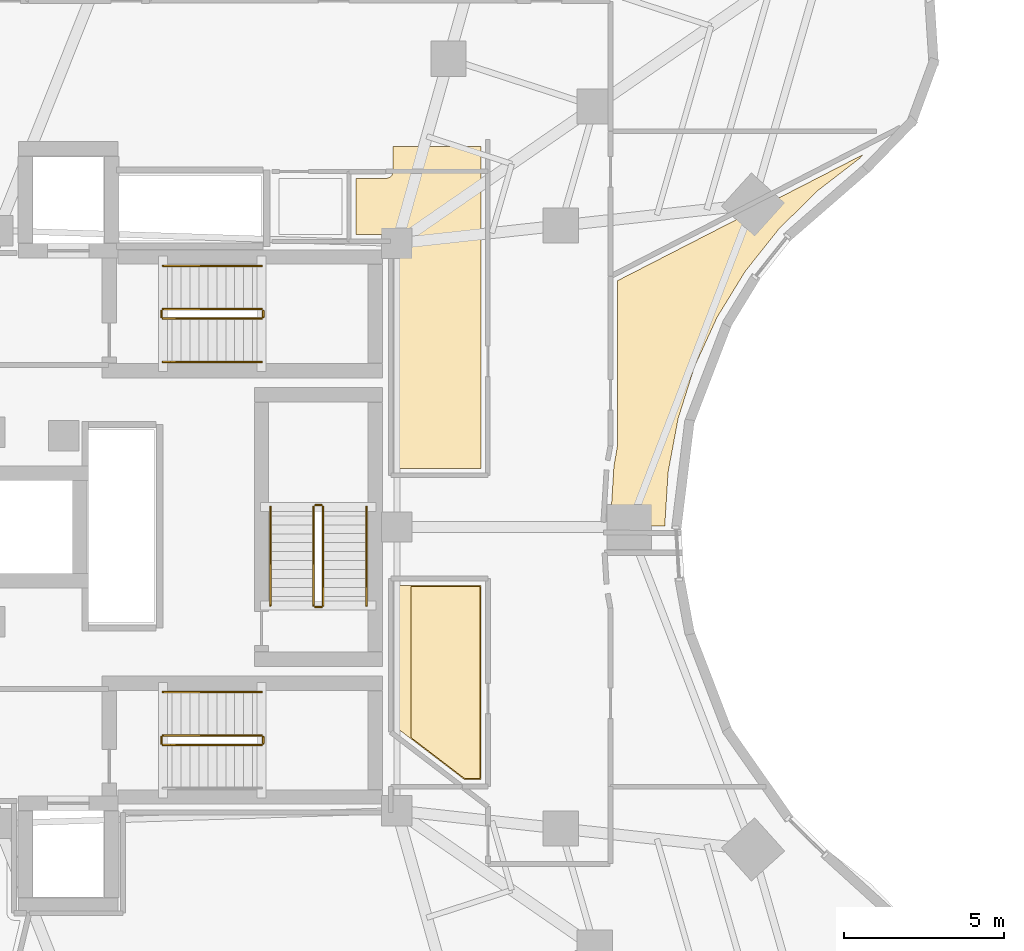
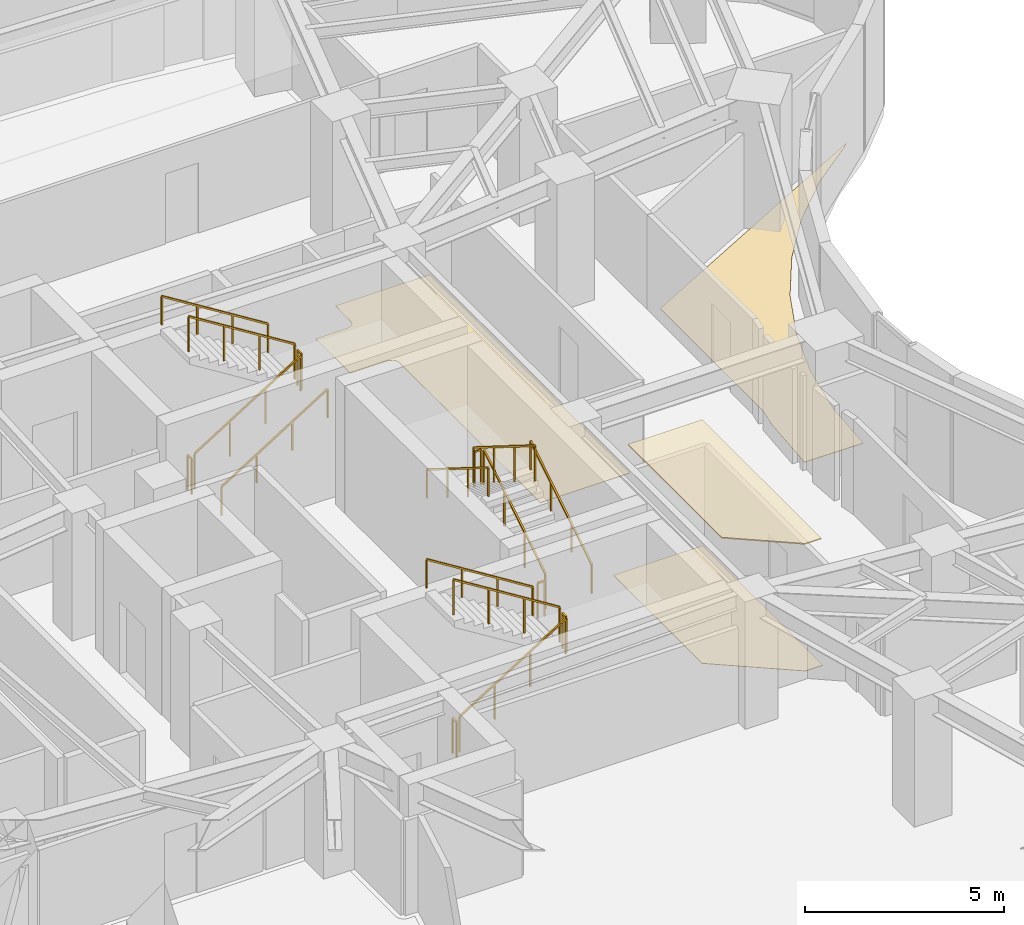
# One storey, part 16 of 17: 17 railings, 4 coverings.
"""IFC4 building model written with IfcOpenShell, lengths in metres."""

import ifcopenshell
import ifcopenshell.guid

model = None  # the IFC model being written
_history = None  # IfcOwnerHistory: only IFC2X3 demands one
_inside = {}  # id of a spatial element -> (the spatial element, [elements in it])
_under = {}  # id of a project, library or spatial element -> (it, [spatial elements below it])
_declared = {}  # id of a project -> (the project, [libraries it declares])
_typed = {}  # id of a type object -> (the type object, [elements of that type])
_made_of = {}  # id of a material, layer set ... -> (it, [elements and type objects made of it])


def new_model(schema):
    """Start an empty IFC model of exactly this schema.

    Asked for "IFC4X3", IfcOpenShell would pick the latest addendum, in which some entities
    have other attributes; the version numbers below select the first issue.
    IFC2X3 requires an IfcOwnerHistory on every rooted entity: one is made here for all.
    """
    global model, _history
    if schema == "IFC4X3":
        model = ifcopenshell.file(schema_version=(4, 3, 0, 0))
    else:
        model = ifcopenshell.file(schema=schema)
    _inside.clear()
    _under.clear()
    _declared.clear()
    _typed.clear()
    _made_of.clear()
    _history = None
    if model.schema == "IFC2X3":
        org = make("IfcOrganization", Name="unknown")
        user = make(
            "IfcPersonAndOrganization",
            ThePerson=make("IfcPerson", FamilyName="unknown"),
            TheOrganization=org,
        )
        app = make(
            "IfcApplication",
            ApplicationDeveloper=org,
            Version="unknown",
            ApplicationFullName="unknown",
            ApplicationIdentifier="unknown",
        )
        _history = make(
            "IfcOwnerHistory",
            OwningUser=user,
            OwningApplication=app,
            ChangeAction="ADDED",
            CreationDate=0,
        )
    return model


def make(cls, **values):
    """One entity of the class cls with the attributes given. An attribute that is None is left unset."""
    return model.create_entity(
        cls, **{name: value for name, value in values.items() if value is not None}
    )


def rooted(cls, **values):
    """An entity with a GlobalId (a new one), such as an element, a storey or a relation."""
    return make(cls, GlobalId=ifcopenshell.guid.new(), OwnerHistory=_history, **values)


def si_unit(unit_type, name, prefix=None):
    """IfcSIUnit, for example si_unit("LENGTHUNIT", "METRE", prefix="MILLI")."""
    return make("IfcSIUnit", UnitType=unit_type, Prefix=prefix, Name=name)


def assignment(units):
    """IfcUnitAssignment: the units of a project."""
    return None if units is None else make("IfcUnitAssignment", Units=units)


def point(xyz):
    """IfcCartesianPoint."""
    return None if xyz is None else make("IfcCartesianPoint", Coordinates=xyz)


def direction(xyz):
    """IfcDirection."""
    return None if xyz is None else make("IfcDirection", DirectionRatios=xyz)


def frame(location, z_axis=None, x_axis=None):
    """IfcAxis2Placement3D, a coordinate frame: its origin and axes. An axis left out is left unset."""
    return make(
        "IfcAxis2Placement3D",
        Location=point(location),
        Axis=direction(z_axis),
        RefDirection=direction(x_axis),
    )


def frame_2d(location, x_axis=None):
    """IfcAxis2Placement2D, a coordinate frame in the plane: its origin and x axis."""
    return make(
        "IfcAxis2Placement2D", Location=point(location), RefDirection=direction(x_axis)
    )


def origin():
    """The frame at (0, 0, 0) with its axes left unset."""
    return frame((0.0, 0.0, 0.0))


def origin_2d():
    """The frame at (0, 0) in the plane with its x axis left unset."""
    return frame_2d((0.0, 0.0))


def place(relative_to, where):
    """IfcLocalPlacement: puts the frame where relative to a parent placement (None: the world)."""
    return make(
        "IfcLocalPlacement", PlacementRelTo=relative_to, RelativePlacement=where
    )


def context(
    kind, dimensions, precision=None, world=None, true_north=None, identifier=None
):
    """IfcGeometricRepresentationContext, for example the 3D "Model" context."""
    return make(
        "IfcGeometricRepresentationContext",
        ContextIdentifier=identifier,
        ContextType=kind,
        CoordinateSpaceDimension=dimensions,
        Precision=precision,
        WorldCoordinateSystem=world,
        TrueNorth=true_north,
    )


def subcontext(parent, identifier, kind, view, scale=None):
    """IfcGeometricRepresentationSubContext, for example "Body" below "Model"."""
    return make(
        "IfcGeometricRepresentationSubContext",
        ContextIdentifier=identifier,
        ContextType=kind,
        ParentContext=parent,
        TargetScale=scale,
        TargetView=view,
    )


def project(units=None, contexts=None):
    """IfcProject with its units and contexts."""
    return rooted(
        "IfcProject",
        Name="project",
        RepresentationContexts=contexts,
        UnitsInContext=assignment(units),
    )


def spatial(cls, under=None, at=None, **own):
    """A site, building, storey or space (cls), placed at a placement, below another one or the project."""
    s = rooted(cls, ObjectPlacement=at, **own)
    if under is not None:
        _under.setdefault(under.id(), (under, []))[1].append(s)
    return s


def polyline(points):
    """IfcPolyline through the points."""
    return make("IfcPolyline", Points=[point(p) for p in points])


def profile(cls, at=None, kind="AREA", **sizes):
    """A parametric profile (cls). Its sizes go by their IFC names, for example OverallWidth=200.0."""
    return make(cls, ProfileType=kind, Position=at, **sizes)


def rectangle(**sizes):
    """IfcRectangleProfileDef."""
    return profile("IfcRectangleProfileDef", **sizes)


def outline(outer, holes=None, kind="AREA"):
    """IfcArbitraryClosedProfileDef: a profile drawn as a closed curve; with holes, ...WithVoids."""
    if holes is None:
        return make("IfcArbitraryClosedProfileDef", ProfileType=kind, OuterCurve=outer)
    return make(
        "IfcArbitraryProfileDefWithVoids",
        ProfileType=kind,
        OuterCurve=outer,
        InnerCurves=holes,
    )


def extrude(swept, where, along, depth):
    """IfcExtrudedAreaSolid: the profile swept, set in the frame where, extruded along a direction by depth."""
    return make(
        "IfcExtrudedAreaSolid",
        SweptArea=swept,
        Position=where,
        ExtrudedDirection=direction(along),
        Depth=depth,
    )


def shape(context_of_items, identifier, shape_type, items):
    """IfcShapeRepresentation: the items that make up one representation, for example the "Body"."""
    return make(
        "IfcShapeRepresentation",
        ContextOfItems=context_of_items,
        RepresentationIdentifier=identifier,
        RepresentationType=shape_type,
        Items=items,
    )


def material(Name=None, Category=None):
    """IfcMaterial."""
    return make("IfcMaterial", Name=Name, Category=Category)


def layer(
    of_material, thickness, ventilated=None, Name=None, Category=None, Priority=None
):
    """IfcMaterialLayer: one layer of a wall or slab, of a material (None: an air gap)."""
    return make(
        "IfcMaterialLayer",
        Material=of_material,
        LayerThickness=thickness,
        IsVentilated=ventilated,
        Name=Name,
        Category=Category,
        Priority=Priority,
    )


def layer_set(layers, Name=None):
    """IfcMaterialLayerSet."""
    return make("IfcMaterialLayerSet", MaterialLayers=layers, LayerSetName=Name)


def made_of(thing, what):
    """Note that an element or type object is made of a material, layer set ...; save() writes the relation."""
    if what is not None:
        _made_of.setdefault(what.id(), (what, []))[1].append(thing)
    return thing


def type_object(cls, material=None, **own):
    """A type object (cls), such as IfcWallType, which elements share."""
    return made_of(rooted(cls, **own), material)


def element(
    cls,
    number,
    at=None,
    inside=None,
    cuts=None,
    type_object=None,
    material=None,
    context=None,
    identifier="Body",
    shape_type=None,
    held_by="IfcProductDefinitionShape",
    body=None,
    shapes=None,
    **own,
):
    """One element of the class cls, such as IfcWall. Its Tag is "e" and its number.

    at: its placement. inside: the storey or other place that contains it. cuts: it is an
    opening in that element (IfcRelVoidsElement). A single representation is given by context,
    identifier, shape_type and body (its items); several are given by shapes. held_by: the class
    of the entity that holds the representations. save() writes the other relations.
    """
    e = rooted(cls, Tag="e%d" % number, ObjectPlacement=at, **own)
    if body is not None:
        shapes = [shape(context, identifier, shape_type, body)]
    if shapes is not None:
        e.Representation = make(held_by, Representations=shapes)
    if inside is not None:
        _inside.setdefault(inside.id(), (inside, []))[1].append(e)
    if cuts is not None:
        rooted(
            "IfcRelVoidsElement", RelatingBuildingElement=cuts, RelatedOpeningElement=e
        )
    if type_object is not None:
        _typed.setdefault(type_object.id(), (type_object, []))[1].append(e)
    return made_of(e, material)


def aggregate(whole, parts):
    """IfcRelAggregates: a whole, such as a stair, and the parts it consists of."""
    return rooted("IfcRelAggregates", RelatingObject=whole, RelatedObjects=parts)


def save(model, path):
    """Write the relations noted so far, then the file.

    IfcRelAggregates (storeys below a building ...), IfcRelContainedInSpatialStructure (elements
    in a storey), IfcRelDefinesByType, IfcRelAssociatesMaterial and IfcRelDeclares: one each for
    every whole, place, type object, material and project.
    """
    for whole, parts in _under.values():
        aggregate(whole, parts)
    for where, things in _inside.values():
        rooted(
            "IfcRelContainedInSpatialStructure",
            RelatedElements=things,
            RelatingStructure=where,
        )
    for kind, things in _typed.values():
        rooted("IfcRelDefinesByType", RelatedObjects=things, RelatingType=kind)
    for what, things in _made_of.values():
        rooted("IfcRelAssociatesMaterial", RelatedObjects=things, RelatingMaterial=what)
    for by, libraries in _declared.values():
        rooted("IfcRelDeclares", RelatingContext=by, RelatedDefinitions=libraries)
    model.write(path)


model = new_model("IFC4")

# Units and contexts
model_context = context("Model", 3, precision=1e-05, world=origin(), true_north=direction((0.0, 1.0)))
body_context = subcontext(model_context, "Body", "Model", "MODEL_VIEW")
ifc_project = project(units=[si_unit("LENGTHUNIT", "METRE"), si_unit("AREAUNIT", "SQUARE_METRE"), si_unit("VOLUMEUNIT", "CUBIC_METRE"), si_unit("PLANEANGLEUNIT", "RADIAN"), si_unit("MASSUNIT", "GRAM", prefix="KILO")], contexts=[model_context])

# Site, building, storey
site_placement = place(None, origin())
site = spatial("IfcSite", under=ifc_project, at=site_placement, CompositionType="ELEMENT")
building_placement = place(site_placement, origin())
building = spatial("IfcBuilding", under=site, at=building_placement, Name="Korentha Bioscience Tower", CompositionType="ELEMENT")
storey_placement = place(building_placement, frame((0.0, 0.0, 25.800048828125)))
storey = spatial("IfcBuildingStorey", under=building, at=storey_placement, Name="L05", CompositionType="ELEMENT", Elevation=25.800048828125)

# Railings
ifc_material_1 = material(Name="Stainless Steel 304", Category="steel")
railing_type_1 = type_object("IfcRailingType", Name="Brushed Stainless Stair Handrail 900", PredefinedType="HANDRAIL", material=ifc_material_1)
railing_1_placement = place(storey_placement, frame((30.25, 32.14990234375, 0.175048828125)))
element("IfcRailing", 1, at=railing_1_placement, inside=storey, type_object=railing_type_1, Name="L05 ST-1 stair handrail 1", PredefinedType="HANDRAIL", context=body_context, shape_type="SweptSolid", body=[
    extrude(rectangle(XDim=0.048095703125, YDim=0.048095703125, at=origin_2d()), frame((0.0, 0.0, 0.8759765625), z_axis=(0.848028513186, 0.0, 0.529950602248), x_axis=(0.0, 1.0, 0.0)), (0.0, 0.0, 1.0), 3.632080078125),
    extrude(rectangle(XDim=0.0419921875, YDim=0.0419921875, at=origin_2d()), origin(), (0.0, 0.0, 1.0), 0.851806640625),
    extrude(rectangle(XDim=0.0419921875, YDim=0.0419921875, at=origin_2d()), frame((1.026611328125, 0.0, 0.6416015625)), (0.0, 0.0, 1.0), 0.851806640625),
    extrude(rectangle(XDim=0.0419921875, YDim=0.0419921875, at=origin_2d()), frame((2.053466796875, 0.0, 1.283203125)), (0.0, 0.0, 1.0), 0.851806640625),
    extrude(rectangle(XDim=0.0419921875, YDim=0.0419921875, at=origin_2d()), frame((3.080078125, 0.0, 1.9248046875)), (0.0, 0.0, 1.0), 0.851806640625),
])
for number, where, name in (
    (2, (33.330078125, 35.14990234375, 2.27490234375), "L05 ST-1 stair handrail 2"),
    (3, (33.330078125, 21.85009765625, 2.27490234375), "L05 ST-2 stair handrail 2"),
):
    element("IfcRailing", number, at=place(storey_placement, frame(where)), inside=storey, type_object=railing_type_1, Name=name, PredefinedType="HANDRAIL", context=body_context, shape_type="SweptSolid", body=[
        extrude(rectangle(XDim=0.048095703125, YDim=0.048095703125, at=origin_2d()), frame((0.0, 0.0, 0.8759765625), z_axis=(-0.847998304005, 0.0, 0.529998940003), x_axis=(0.0, -1.0, 0.0)), (0.0, 0.0, 1.0), 3.632080078125),
        extrude(rectangle(XDim=0.0419921875, YDim=0.0419921875, at=origin_2d()), origin(), (0.0, 0.0, 1.0), 0.851806640625),
        extrude(rectangle(XDim=0.0419921875, YDim=0.0419921875, at=origin_2d()), frame((-1.026611328125, 0.0, 0.6416015625)), (0.0, 0.0, 1.0), 0.851806640625),
        extrude(rectangle(XDim=0.0419921875, YDim=0.0419921875, at=origin_2d()), frame((-2.053466796875, 0.0, 1.283447265625)), (0.0, 0.0, 1.0), 0.851806640625),
        extrude(rectangle(XDim=0.0419921875, YDim=0.0419921875, at=origin_2d()), frame((-3.080078125, 0.0, 1.925048828125)), (0.0, 0.0, 1.0), 0.851806640625),
    ])
railing_2_placement = place(storey_placement, frame((36.60009765625, 24.550048828125, 0.175048828125)))
element("IfcRailing", 4, at=railing_2_placement, inside=storey, type_object=railing_type_1, Name="L05 ST-3 stair handrail 1", PredefinedType="HANDRAIL", context=body_context, shape_type="SweptSolid", body=[
    extrude(rectangle(XDim=0.048095703125, YDim=0.048095703125, at=origin_2d()), frame((0.0, 0.0, 0.8759765625), z_axis=(0.0, 0.848009633417, 0.529980812513), x_axis=(-1.0, 0.0, 0.0)), (0.0, 0.0, 1.0), 3.6318359375),
    extrude(rectangle(XDim=0.0419921875, YDim=0.0419921875, at=origin_2d()), origin(), (0.0, 0.0, 1.0), 0.851806640625),
    extrude(rectangle(XDim=0.0419921875, YDim=0.0419921875, at=origin_2d()), frame((0.0, 1.026611328125, 0.6416015625)), (0.0, 0.0, 1.0), 0.851806640625),
    extrude(rectangle(XDim=0.0419921875, YDim=0.0419921875, at=origin_2d()), frame((0.0, 2.05322265625, 1.283203125)), (0.0, 0.0, 1.0), 0.851806640625),
    extrude(rectangle(XDim=0.0419921875, YDim=0.0419921875, at=origin_2d()), frame((0.0, 3.079833984375, 1.9248046875)), (0.0, 0.0, 1.0), 0.851806640625),
])
railing_3_placement = place(storey_placement, frame((33.60009765625, 27.6298828125, 2.27490234375)))
element("IfcRailing", 5, at=railing_3_placement, inside=storey, type_object=railing_type_1, Name="L05 ST-3 stair handrail 2", PredefinedType="HANDRAIL", context=body_context, shape_type="SweptSolid", body=[
    extrude(rectangle(XDim=0.048095703125, YDim=0.048095703125, at=origin_2d()), frame((0.0, 0.0, 0.8759765625), z_axis=(0.0, -0.847979421464, 0.530029150871), x_axis=(1.0, 0.0, 0.0)), (0.0, 0.0, 1.0), 3.632080078125),
    extrude(rectangle(XDim=0.0419921875, YDim=0.0419921875, at=origin_2d()), origin(), (0.0, 0.0, 1.0), 0.851806640625),
    extrude(rectangle(XDim=0.0419921875, YDim=0.0419921875, at=origin_2d()), frame((0.0, -1.026611328125, 0.6416015625)), (0.0, 0.0, 1.0), 0.851806640625),
    extrude(rectangle(XDim=0.0419921875, YDim=0.0419921875, at=origin_2d()), frame((0.0, -2.05322265625, 1.283447265625)), (0.0, 0.0, 1.0), 0.851806640625),
    extrude(rectangle(XDim=0.0419921875, YDim=0.0419921875, at=origin_2d()), frame((0.0, -3.079833984375, 1.925048828125)), (0.0, 0.0, 1.0), 0.851806640625),
])

# Covering
ifc_material_2 = material(Name="Antimicrobial Mineral Fibre Board", Category="gypsum")
ifc_layer_1 = layer(ifc_material_2, 0.034912109375, Name="Antimicrobial Mineral Fibre Board")
ifc_layer_set_1 = layer_set([ifc_layer_1], Name="Antimicrobial Mineral Fibre Board (CL-MF35)")
covering_type_1 = type_object("IfcCoveringType", Name="Mineral-Fibre Cleanroom Suspended Ceiling 35", PredefinedType="CEILING", material=ifc_layer_set_1)
covering_1_placement = place(storey_placement, frame((0.0, 0.0, 3.864990234375)))
element("IfcCovering", 6, at=covering_1_placement, inside=storey, type_object=covering_type_1, Name="L05 Terrace View Refreshment Lounge 06 Acoustic Ceiling", PredefinedType="CEILING", context=body_context, shape_type="SweptSolid", body=[
    extrude(outline(polyline([(40.139892578125, 19.152099609375), (39.6640625, 19.152099609375), (37.989990234375, 20.4306640625), (37.989990234375, 25.139892578125), (40.139892578125, 25.139892578125), (40.139892578125, 19.152099609375)])), origin(), (0.0, 0.0, 1.0), 0.034912109375),
])

# Railings
ifc_material_3 = material(Name="Painted Steel S275", Category="steel")
railing_type_2 = type_object("IfcRailingType", Name="Painted Steel Stair Well Guardrail 1100", PredefinedType="GUARDRAIL", material=ifc_material_3)
railing_4_placement = place(storey_placement, frame((30.25, 33.5, 0.175048828125)))
element("IfcRailing", 7, at=railing_4_placement, inside=storey, type_object=railing_type_2, Name="L05 ST-1 stair guard 1", PredefinedType="GUARDRAIL", context=body_context, shape_type="SweptSolid", body=[
    extrude(rectangle(XDim=0.048095703125, YDim=0.048095703125, at=origin_2d()), frame((0.0, 0.0, 1.076171875), z_axis=(0.848028513186, 0.0, 0.529950602248), x_axis=(0.0, 1.0, 0.0)), (0.0, 0.0, 1.0), 3.632080078125),
    extrude(rectangle(XDim=0.0419921875, YDim=0.0419921875, at=origin_2d()), origin(), (0.0, 0.0, 1.0), 1.052001953125),
    extrude(rectangle(XDim=0.0419921875, YDim=0.0419921875, at=origin_2d()), frame((1.026611328125, 0.0, 0.6416015625)), (0.0, 0.0, 1.0), 1.052001953125),
    extrude(rectangle(XDim=0.0419921875, YDim=0.0419921875, at=origin_2d()), frame((2.053466796875, 0.0, 1.283203125)), (0.0, 0.0, 1.0), 1.052001953125),
    extrude(rectangle(XDim=0.0419921875, YDim=0.0419921875, at=origin_2d()), frame((3.080078125, 0.0, 1.9248046875)), (0.0, 0.0, 1.0), 1.052001953125),
])
railing_5_placement = place(storey_placement, frame((33.3798828125, 33.550048828125, 2.099853515625)))
element("IfcRailing", 8, at=railing_5_placement, inside=storey, type_object=railing_type_2, Name="L05 ST-1 stair guard 2", PredefinedType="GUARDRAIL", context=body_context, shape_type="SweptSolid", body=[
    extrude(rectangle(XDim=0.048095703125, YDim=0.048095703125, at=origin_2d()), frame((0.0, 0.0, 1.076171875), z_axis=(0.0, 1.0, 0.0), x_axis=(-1.0, 0.0, 0.0)), (0.0, 0.0, 1.0), 0.199951171875),
    extrude(rectangle(XDim=0.0419921875, YDim=0.0419921875, at=origin_2d()), origin(), (0.0, 0.0, 1.0), 1.052001953125),
    extrude(rectangle(XDim=0.0419921875, YDim=0.0419921875, at=origin_2d()), frame((0.0, 0.199951171875, 0.0)), (0.0, 0.0, 1.0), 1.052001953125),
])
railing_6_placement = place(storey_placement, frame((33.330078125, 33.800048828125, 2.27490234375)))
element("IfcRailing", 9, at=railing_6_placement, inside=storey, type_object=railing_type_2, Name="L05 ST-1 stair guard 3", PredefinedType="GUARDRAIL", context=body_context, shape_type="SweptSolid", body=[
    extrude(rectangle(XDim=0.048095703125, YDim=0.048095703125, at=origin_2d()), frame((0.0, 0.0, 1.076171875), z_axis=(-0.847998304005, 0.0, 0.529998940003), x_axis=(0.0, -1.0, 0.0)), (0.0, 0.0, 1.0), 3.632080078125),
    extrude(rectangle(XDim=0.0419921875, YDim=0.0419921875, at=origin_2d()), origin(), (0.0, 0.0, 1.0), 1.052001953125),
    extrude(rectangle(XDim=0.0419921875, YDim=0.0419921875, at=origin_2d()), frame((-1.026611328125, 0.0, 0.6416015625)), (0.0, 0.0, 1.0), 1.052001953125),
    extrude(rectangle(XDim=0.0419921875, YDim=0.0419921875, at=origin_2d()), frame((-2.053466796875, 0.0, 1.283447265625)), (0.0, 0.0, 1.0), 1.052001953125),
    extrude(rectangle(XDim=0.0419921875, YDim=0.0419921875, at=origin_2d()), frame((-3.080078125, 0.0, 1.925048828125)), (0.0, 0.0, 1.0), 1.052001953125),
])
railing_7_placement = place(storey_placement, frame((30.199951171875, 33.550048828125, 0.0)))
element("IfcRailing", 10, at=railing_7_placement, inside=storey, type_object=railing_type_2, Name="L05 ST-1 stair guard 4", PredefinedType="GUARDRAIL", context=body_context, shape_type="SweptSolid", body=[
    extrude(rectangle(XDim=0.048095703125, YDim=0.048095703125, at=origin_2d()), frame((0.0, 0.0, 1.076171875), z_axis=(0.0, 1.0, 0.0), x_axis=(-1.0, 0.0, 0.0)), (0.0, 0.0, 1.0), 0.199951171875),
    extrude(rectangle(XDim=0.0419921875, YDim=0.0419921875, at=origin_2d()), origin(), (0.0, 0.0, 1.0), 1.052001953125),
    extrude(rectangle(XDim=0.0419921875, YDim=0.0419921875, at=origin_2d()), frame((0.0, 0.199951171875, 0.0)), (0.0, 0.0, 1.0), 1.052001953125),
])
railing_8_placement = place(storey_placement, frame((30.25, 20.199951171875, 0.175048828125)))
element("IfcRailing", 11, at=railing_8_placement, inside=storey, type_object=railing_type_2, Name="L05 ST-2 stair guard 1", PredefinedType="GUARDRAIL", context=body_context, shape_type="SweptSolid", body=[
    extrude(rectangle(XDim=0.048095703125, YDim=0.048095703125, at=origin_2d()), frame((0.0, 0.0, 1.076171875), z_axis=(0.848028513186, 0.0, 0.529950602248), x_axis=(0.0, 1.0, 0.0)), (0.0, 0.0, 1.0), 3.632080078125),
    extrude(rectangle(XDim=0.0419921875, YDim=0.0419921875, at=origin_2d()), origin(), (0.0, 0.0, 1.0), 1.052001953125),
    extrude(rectangle(XDim=0.0419921875, YDim=0.0419921875, at=origin_2d()), frame((1.026611328125, 0.0, 0.6416015625)), (0.0, 0.0, 1.0), 1.052001953125),
    extrude(rectangle(XDim=0.0419921875, YDim=0.0419921875, at=origin_2d()), frame((2.053466796875, 0.0, 1.283203125)), (0.0, 0.0, 1.0), 1.052001953125),
    extrude(rectangle(XDim=0.0419921875, YDim=0.0419921875, at=origin_2d()), frame((3.080078125, 0.0, 1.9248046875)), (0.0, 0.0, 1.0), 1.052001953125),
])
railing_9_placement = place(storey_placement, frame((33.3798828125, 20.25, 2.099853515625)))
element("IfcRailing", 12, at=railing_9_placement, inside=storey, type_object=railing_type_2, Name="L05 ST-2 stair guard 2", PredefinedType="GUARDRAIL", context=body_context, shape_type="SweptSolid", body=[
    extrude(rectangle(XDim=0.048095703125, YDim=0.048095703125, at=origin_2d()), frame((0.0, 0.0, 1.076171875), z_axis=(0.0, 1.0, 0.0), x_axis=(-1.0, 0.0, 0.0)), (0.0, 0.0, 1.0), 0.199951171875),
    extrude(rectangle(XDim=0.0419921875, YDim=0.0419921875, at=origin_2d()), origin(), (0.0, 0.0, 1.0), 1.052001953125),
    extrude(rectangle(XDim=0.0419921875, YDim=0.0419921875, at=origin_2d()), frame((0.0, 0.199951171875, 0.0)), (0.0, 0.0, 1.0), 1.052001953125),
])
railing_10_placement = place(storey_placement, frame((33.330078125, 20.5, 2.27490234375)))
element("IfcRailing", 13, at=railing_10_placement, inside=storey, type_object=railing_type_2, Name="L05 ST-2 stair guard 3", PredefinedType="GUARDRAIL", context=body_context, shape_type="SweptSolid", body=[
    extrude(rectangle(XDim=0.048095703125, YDim=0.048095703125, at=origin_2d()), frame((0.0, 0.0, 1.076171875), z_axis=(-0.847998304005, 0.0, 0.529998940003), x_axis=(0.0, -1.0, 0.0)), (0.0, 0.0, 1.0), 3.632080078125),
    extrude(rectangle(XDim=0.0419921875, YDim=0.0419921875, at=origin_2d()), origin(), (0.0, 0.0, 1.0), 1.052001953125),
    extrude(rectangle(XDim=0.0419921875, YDim=0.0419921875, at=origin_2d()), frame((-1.026611328125, 0.0, 0.6416015625)), (0.0, 0.0, 1.0), 1.052001953125),
    extrude(rectangle(XDim=0.0419921875, YDim=0.0419921875, at=origin_2d()), frame((-2.053466796875, 0.0, 1.283447265625)), (0.0, 0.0, 1.0), 1.052001953125),
    extrude(rectangle(XDim=0.0419921875, YDim=0.0419921875, at=origin_2d()), frame((-3.080078125, 0.0, 1.925048828125)), (0.0, 0.0, 1.0), 1.052001953125),
])
railing_11_placement = place(storey_placement, frame((30.199951171875, 20.25, 0.0)))
element("IfcRailing", 14, at=railing_11_placement, inside=storey, type_object=railing_type_2, Name="L05 ST-2 stair guard 4", PredefinedType="GUARDRAIL", context=body_context, shape_type="SweptSolid", body=[
    extrude(rectangle(XDim=0.048095703125, YDim=0.048095703125, at=origin_2d()), frame((0.0, 0.0, 1.076171875), z_axis=(0.0, 1.0, 0.0), x_axis=(-1.0, 0.0, 0.0)), (0.0, 0.0, 1.0), 0.199951171875),
    extrude(rectangle(XDim=0.0419921875, YDim=0.0419921875, at=origin_2d()), origin(), (0.0, 0.0, 1.0), 1.052001953125),
    extrude(rectangle(XDim=0.0419921875, YDim=0.0419921875, at=origin_2d()), frame((0.0, 0.199951171875, 0.0)), (0.0, 0.0, 1.0), 1.052001953125),
])
railing_12_placement = place(storey_placement, frame((35.25, 24.550048828125, 0.175048828125)))
element("IfcRailing", 15, at=railing_12_placement, inside=storey, type_object=railing_type_2, Name="L05 ST-3 stair guard 1", PredefinedType="GUARDRAIL", context=body_context, shape_type="SweptSolid", body=[
    extrude(rectangle(XDim=0.048095703125, YDim=0.048095703125, at=origin_2d()), frame((0.0, 0.0, 1.076171875), z_axis=(0.0, 0.848009633417, 0.529980812513), x_axis=(-1.0, 0.0, 0.0)), (0.0, 0.0, 1.0), 3.6318359375),
    extrude(rectangle(XDim=0.0419921875, YDim=0.0419921875, at=origin_2d()), origin(), (0.0, 0.0, 1.0), 1.052001953125),
    extrude(rectangle(XDim=0.0419921875, YDim=0.0419921875, at=origin_2d()), frame((0.0, 1.026611328125, 0.6416015625)), (0.0, 0.0, 1.0), 1.052001953125),
    extrude(rectangle(XDim=0.0419921875, YDim=0.0419921875, at=origin_2d()), frame((0.0, 2.05322265625, 1.283203125)), (0.0, 0.0, 1.0), 1.052001953125),
    extrude(rectangle(XDim=0.0419921875, YDim=0.0419921875, at=origin_2d()), frame((0.0, 3.079833984375, 1.9248046875)), (0.0, 0.0, 1.0), 1.052001953125),
])
railing_13_placement = place(storey_placement, frame((35.199951171875, 27.679931640625, 2.099853515625)))
element("IfcRailing", 16, at=railing_13_placement, inside=storey, type_object=railing_type_2, Name="L05 ST-3 stair guard 2", PredefinedType="GUARDRAIL", context=body_context, shape_type="SweptSolid", body=[
    extrude(rectangle(XDim=0.048095703125, YDim=0.048095703125, at=origin_2d()), frame((0.0, 0.0, 1.076171875), z_axis=(-1.0, 0.0, 0.0), x_axis=(0.0, -1.0, 0.0)), (0.0, 0.0, 1.0), 0.199951171875),
    extrude(rectangle(XDim=0.0419921875, YDim=0.0419921875, at=origin_2d()), origin(), (0.0, 0.0, 1.0), 1.052001953125),
    extrude(rectangle(XDim=0.0419921875, YDim=0.0419921875, at=origin_2d()), frame((-0.199951171875, 0.0, 0.0)), (0.0, 0.0, 1.0), 1.052001953125),
])
railing_14_placement = place(storey_placement, frame((34.949951171875, 27.6298828125, 2.27490234375)))
element("IfcRailing", 17, at=railing_14_placement, inside=storey, type_object=railing_type_2, Name="L05 ST-3 stair guard 3", PredefinedType="GUARDRAIL", context=body_context, shape_type="SweptSolid", body=[
    extrude(rectangle(XDim=0.048095703125, YDim=0.048095703125, at=origin_2d()), frame((0.0, 0.0, 1.076171875), z_axis=(0.0, -0.847979421464, 0.530029150871), x_axis=(1.0, 0.0, 0.0)), (0.0, 0.0, 1.0), 3.632080078125),
    extrude(rectangle(XDim=0.0419921875, YDim=0.0419921875, at=origin_2d()), origin(), (0.0, 0.0, 1.0), 1.052001953125),
    extrude(rectangle(XDim=0.0419921875, YDim=0.0419921875, at=origin_2d()), frame((0.0, -1.026611328125, 0.6416015625)), (0.0, 0.0, 1.0), 1.052001953125),
    extrude(rectangle(XDim=0.0419921875, YDim=0.0419921875, at=origin_2d()), frame((0.0, -2.05322265625, 1.283447265625)), (0.0, 0.0, 1.0), 1.052001953125),
    extrude(rectangle(XDim=0.0419921875, YDim=0.0419921875, at=origin_2d()), frame((0.0, -3.079833984375, 1.925048828125)), (0.0, 0.0, 1.0), 1.052001953125),
])
railing_15_placement = place(storey_placement, frame((35.199951171875, 24.5, 0.0)))
element("IfcRailing", 18, at=railing_15_placement, inside=storey, type_object=railing_type_2, Name="L05 ST-3 stair guard 4", PredefinedType="GUARDRAIL", context=body_context, shape_type="SweptSolid", body=[
    extrude(rectangle(XDim=0.048095703125, YDim=0.048095703125, at=origin_2d()), frame((0.0, 0.0, 1.076171875), z_axis=(-1.0, 0.0, 0.0), x_axis=(0.0, -1.0, 0.0)), (0.0, 0.0, 1.0), 0.199951171875),
    extrude(rectangle(XDim=0.0419921875, YDim=0.0419921875, at=origin_2d()), origin(), (0.0, 0.0, 1.0), 1.052001953125),
    extrude(rectangle(XDim=0.0419921875, YDim=0.0419921875, at=origin_2d()), frame((-0.199951171875, 0.0, 0.0)), (0.0, 0.0, 1.0), 1.052001953125),
])

# Coverings
ifc_material_4 = material(Name="Chemical-Resistant Epoxy Resin", Category="polymer")
ifc_layer_2 = layer(ifc_material_4, 0.011962890625, Name="Chemical-Resistant Epoxy Resin")
ifc_layer_set_2 = layer_set([ifc_layer_2], Name="Chemical-Resistant Epoxy Resin (FL-EPX)")
covering_type_2 = type_object("IfcCoveringType", Name="Seamless Epoxy Laboratory Flooring 12", PredefinedType="FLOORING", material=ifc_layer_set_2)
covering_2_placement = place(storey_placement, origin())
element("IfcCovering", 19, at=covering_2_placement, inside=storey, type_object=covering_type_2, Name="L05 Terrace View Refreshment Lounge 06 Floor Finish", PredefinedType="FLOORING", context=body_context, shape_type="SweptSolid", body=[
    extrude(outline(polyline([(37.580078125, 20.7060546875), (37.580078125, 25.169921875), (40.169921875, 25.169921875), (40.169921875, 19.1220703125), (39.654052734375, 19.1220703125), (37.580078125, 20.7060546875)])), origin(), (0.0, 0.0, 1.0), 0.011962890625),
])
covering_3_placement = place(storey_placement, origin())
element("IfcCovering", 20, at=covering_3_placement, inside=storey, type_object=covering_type_2, Name="L05 Engineered Bio-Foundry Wet Lab 08 Floor Finish", PredefinedType="FLOORING", context=body_context, shape_type="SweptSolid", body=[
    extrude(outline(polyline([(44.20751953125, 27.051025390625), (44.321044921875, 28.889892578125), (44.4296875, 29.51953125), (44.429931640625, 34.68408203125), (52.106201171875, 38.62451171875), (51.98876953125, 38.5029296875), (50.681884765625, 37.4970703125), (49.470947265625, 36.303955078125), (48.414306640625, 34.97216796875), (47.54443359375, 33.552490234375), (46.83740234375, 32.006591796875), (46.32421875, 30.3857421875), (46.01220703125, 28.714599609375), (45.90673828125, 27.031982421875), (44.20751953125, 27.051025390625)])), origin(), (0.0, 0.0, 1.0), 0.011962890625),
])
covering_4_placement = place(storey_placement, origin())
element("IfcCovering", 21, at=covering_4_placement, inside=storey, type_object=covering_type_2, Name="L05 Microfluidics Biochip Cleanroom 10 Floor Finish", PredefinedType="FLOORING", context=body_context, shape_type="SweptSolid", body=[
    extrude(outline(polyline([(37.199951171875, 37.8701171875), (37.33740234375, 37.91552734375), (37.39697265625, 37.981201171875), (37.423095703125, 38.044677734375), (37.429931640625, 38.8701171875), (40.169921875, 38.8701171875), (40.169921875, 28.830078125), (37.580078125, 28.830078125), (37.577392578125, 35.93408203125), (37.5576171875, 35.998779296875), (37.5048828125, 36.070068359375), (37.38427734375, 36.12744140625), (36.280029296875, 36.1298828125), (36.280029296875, 37.8701171875), (37.199951171875, 37.8701171875)])), origin(), (0.0, 0.0, 1.0), 0.011962890625),
])

save(model, "model.ifc")
